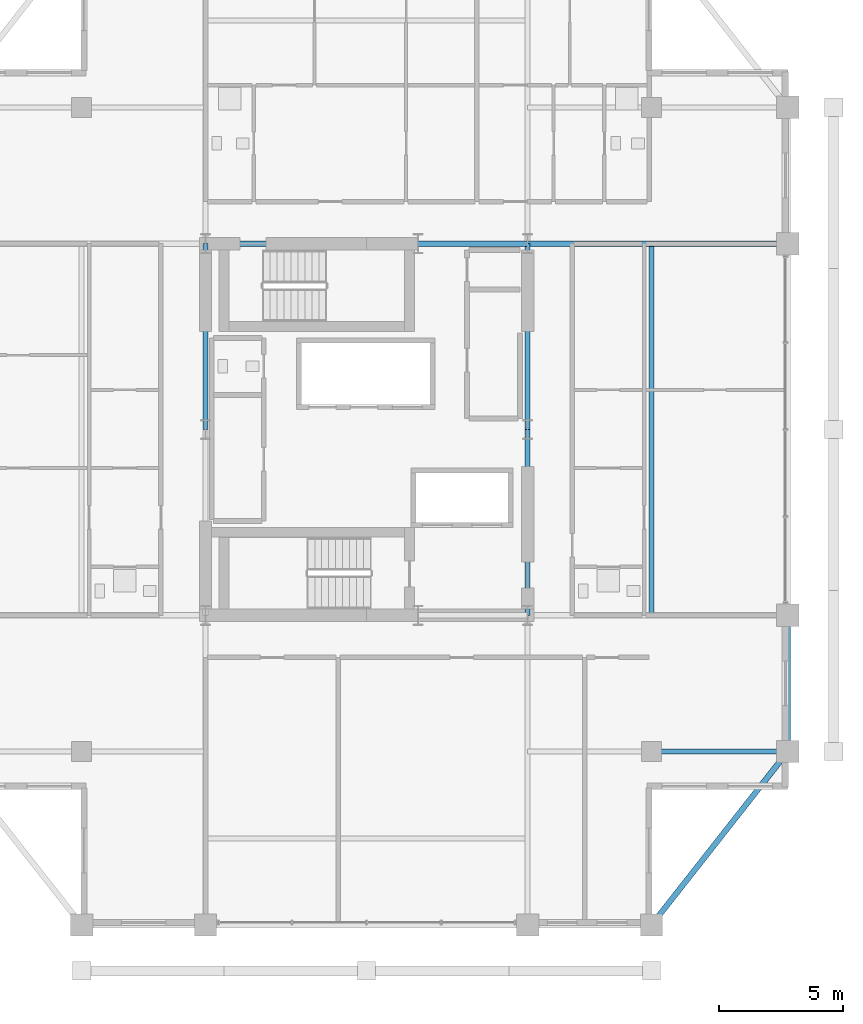
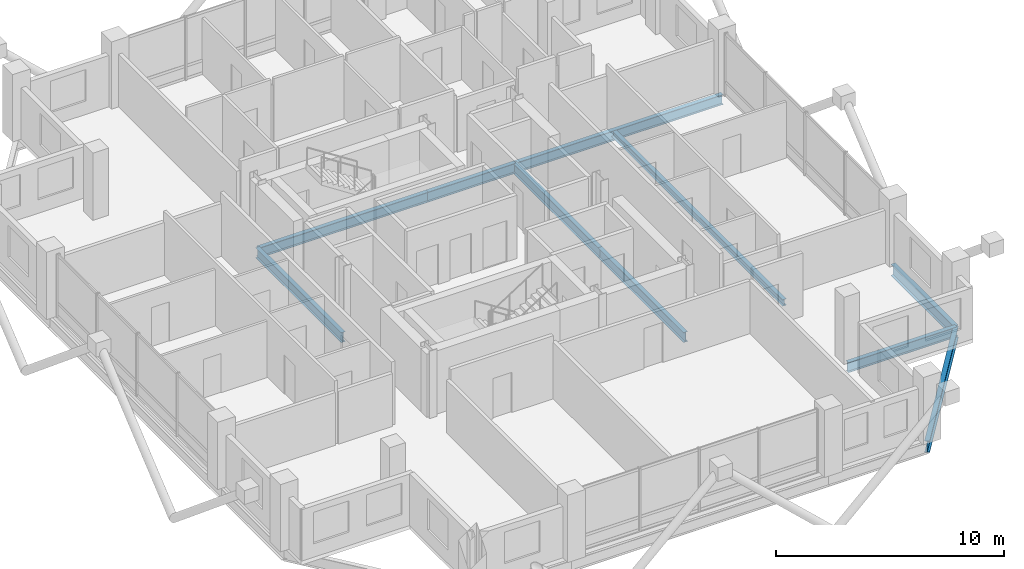
# One storey, part 10 of 23: 10 beams.
"""IFC4 building model written with IfcOpenShell, lengths in metres."""

from ifc_helpers import new_model, si_unit, direction, frame, origin, origin_2d, place, context, subcontext, project, spatial, i_section, extrude, material, material_profile, profile_set, type_object, element, save


model = new_model("IFC4")

# Units and contexts
model_context = context("Model", 3, precision=1e-05, world=origin(), true_north=direction((0.0, 1.0)))
body_context = subcontext(model_context, "Body", "Model", "MODEL_VIEW")
ifc_project = project(units=[si_unit("LENGTHUNIT", "METRE"), si_unit("AREAUNIT", "SQUARE_METRE"), si_unit("VOLUMEUNIT", "CUBIC_METRE"), si_unit("PLANEANGLEUNIT", "RADIAN"), si_unit("MASSUNIT", "GRAM", prefix="KILO")], contexts=[model_context])

# Site, building, storey
site_placement = place(None, origin())
site = spatial("IfcSite", under=ifc_project, at=site_placement, CompositionType="ELEMENT")
building_placement = place(site_placement, origin())
building = spatial("IfcBuilding", under=site, at=building_placement, Name="Barlavira Tower and Art Museum", CompositionType="ELEMENT")
storey_placement = place(building_placement, frame((0.0, 0.0, 247.5)))
storey = spatial("IfcBuildingStorey", under=building, at=storey_placement, Name="L64", CompositionType="ELEMENT", Elevation=247.5)

# Beams
ifc_material = material(Name="Steel S355", Category="steel")
ifc_material_profile_1 = material_profile(ifc_material, i_section(OverallWidth=0.22998046875, OverallDepth=0.616943359375, WebThickness=0.01318359375, FlangeThickness=0.022216796875, at=origin_2d()), Name="W610x140.0")
ifc_profile_set_1 = profile_set([ifc_material_profile_1], Name="Steel S355")
beam_type_1 = type_object("IfcBeamType", Name="Upper Shaft Spandrel Edge Beam W610x140 Steel S355", PredefinedType="SPANDREL", material=ifc_profile_set_1)
beam_1_placement = place(storey_placement, frame((11.5, -20.0, -0.528564453125), z_axis=(0.617821551932, 0.786318338822, 0.0), x_axis=(-0.786318338822, 0.617821551932, 0.0)))
element("IfcBeam", 1, at=beam_1_placement, inside=storey, type_object=beam_type_1, Name="L64 Spandrel 4", PredefinedType="SPANDREL", context=body_context, shape_type="SweptSolid", body=[
    extrude(i_section(OverallWidth=0.22998046875, OverallDepth=0.616943359375, WebThickness=0.01318359375, FlangeThickness=0.022216796875, at=origin_2d()), origin(), (0.0, 0.0, 1.0), 8.90234375),
])
beam_2_placement = place(storey_placement, frame((17.0, -13.0, -0.528564453125), z_axis=(0.0, 1.0, 0.0), x_axis=(-1.0, 0.0, 0.0)))
element("IfcBeam", 2, at=beam_2_placement, inside=storey, type_object=beam_type_1, Name="L64 Spandrel 5", PredefinedType="SPANDREL", context=body_context, shape_type="SweptSolid", body=[
    extrude(i_section(OverallWidth=0.22998046875, OverallDepth=0.616943359375, WebThickness=0.01318359375, FlangeThickness=0.022216796875, at=origin_2d()), origin(), (0.0, 0.0, 1.0), 5.5),
])
ifc_material_profile_2 = material_profile(ifc_material, i_section(OverallWidth=0.2109375, OverallDepth=0.5390625, WebThickness=0.01171875, FlangeThickness=0.018798828125, at=origin_2d()), Name="W530x109.0")
ifc_profile_set_2 = profile_set([ifc_material_profile_2], Name="Steel S355")
beam_type_2 = type_object("IfcBeamType", Name="Zone 3-4 Primary Floor Girder W530x109 Steel S355", PredefinedType="BEAM", material=ifc_profile_set_2)
beam_3_placement = place(storey_placement, frame((-6.5, 7.5, -0.489501953125), z_axis=(1.0, 0.0, 0.0), x_axis=(0.0, 1.0, 0.0)))
element("IfcBeam", 3, at=beam_3_placement, inside=storey, type_object=beam_type_2, Name="L64 Girder C-N1", PredefinedType="BEAM", context=body_context, shape_type="SweptSolid", body=[
    extrude(i_section(OverallWidth=0.2109375, OverallDepth=0.5390625, WebThickness=0.01171875, FlangeThickness=0.018798828125, at=origin_2d()), origin(), (0.0, 0.0, 1.0), 8.580078125),
])
beam_4_placement = place(storey_placement, frame((2.080078125, 7.5, -0.489501953125), z_axis=(1.0, 0.0, 0.0), x_axis=(0.0, 1.0, 0.0)))
element("IfcBeam", 4, at=beam_4_placement, inside=storey, type_object=beam_type_2, Name="L64 Girder C-N2", PredefinedType="BEAM", context=body_context, shape_type="SweptSolid", body=[
    extrude(i_section(OverallWidth=0.2109375, OverallDepth=0.5390625, WebThickness=0.01171875, FlangeThickness=0.018798828125, at=origin_2d()), origin(), (0.0, 0.0, 1.0), 4.419921875),
])
for number, where, z_axis, x_axis, name in (
    (5, (-6.5, 0.0, -0.489501953125), (0.0, 1.0, 0.0), (-1.0, 0.0, 0.0), "L64 Girder C-W2"),
    (6, (6.5, -7.5, -0.489501953125), (0.0, 1.0, 0.0), (-1.0, 0.0, 0.0), "L64 Girder C-E1"),
    (7, (6.5, 0.0, -0.489501953125), (0.0, 1.0, 0.0), (-1.0, 0.0, 0.0), "L64 Girder C-E2"),
):
    element("IfcBeam", number, at=place(storey_placement, frame(where, z_axis=z_axis, x_axis=x_axis)), inside=storey, type_object=beam_type_2, Name=name, PredefinedType="BEAM", context=body_context, shape_type="SweptSolid", body=[
        extrude(i_section(OverallWidth=0.2109375, OverallDepth=0.5390625, WebThickness=0.01171875, FlangeThickness=0.018798828125, at=origin_2d()), origin(), (0.0, 0.0, 1.0), 7.5),
    ])
beam_5_placement = place(storey_placement, frame((6.5, 7.5, -0.489501953125), z_axis=(1.0, 0.0, 0.0), x_axis=(0.0, 1.0, 0.0)))
element("IfcBeam", 8, at=beam_5_placement, inside=storey, type_object=beam_type_2, Name="L64 Girder R-E2", PredefinedType="BEAM", context=body_context, shape_type="SweptSolid", body=[
    extrude(i_section(OverallWidth=0.2109375, OverallDepth=0.5390625, WebThickness=0.01171875, FlangeThickness=0.018798828125, at=origin_2d()), origin(), (0.0, 0.0, 1.0), 10.5),
])
beam_6_placement = place(storey_placement, frame((11.5, -13.0, -0.489501953125), z_axis=(1.0, 0.0, 0.0), x_axis=(0.0, 1.0, 0.0)))
element("IfcBeam", 9, at=beam_6_placement, inside=storey, type_object=beam_type_2, Name="L64 Girder I-S4", PredefinedType="BEAM", context=body_context, shape_type="SweptSolid", body=[
    extrude(i_section(OverallWidth=0.2109375, OverallDepth=0.5390625, WebThickness=0.01171875, FlangeThickness=0.018798828125, at=origin_2d()), origin(), (0.0, 0.0, 1.0), 5.5),
])
ifc_material_profile_3 = material_profile(ifc_material, i_section(OverallWidth=0.202880859375, OverallDepth=0.346923828125, WebThickness=0.0078125, FlangeThickness=0.013427734375, at=origin_2d()), Name="W360x64.0")
ifc_profile_set_3 = profile_set([ifc_material_profile_3], Name="Steel S355")
beam_type_3 = type_object("IfcBeamType", Name="Zone 4 Composite Floor Joist W360x64 Steel S355", PredefinedType="JOIST", material=ifc_profile_set_3)
beam_7_placement = place(storey_placement, frame((11.5, -7.5, -0.3935546875), z_axis=(0.0, 1.0, 0.0), x_axis=(-1.0, 0.0, 0.0)))
element("IfcBeam", 10, at=beam_7_placement, inside=storey, type_object=beam_type_3, Name="L64 Joist W2", PredefinedType="JOIST", context=body_context, shape_type="SweptSolid", body=[
    extrude(i_section(OverallWidth=0.202880859375, OverallDepth=0.346923828125, WebThickness=0.0078125, FlangeThickness=0.013427734375, at=origin_2d()), origin(), (0.0, 0.0, 1.0), 15.0),
])

save(model, "model.ifc")
